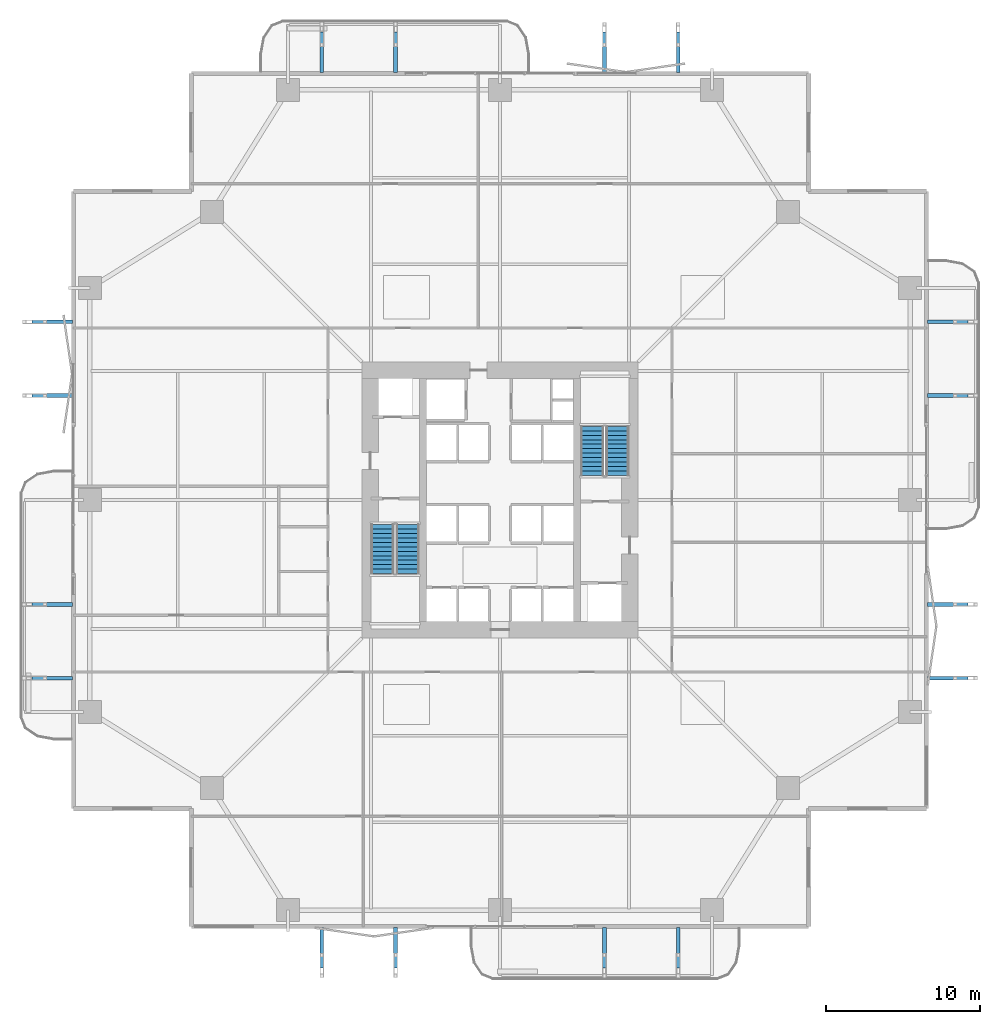
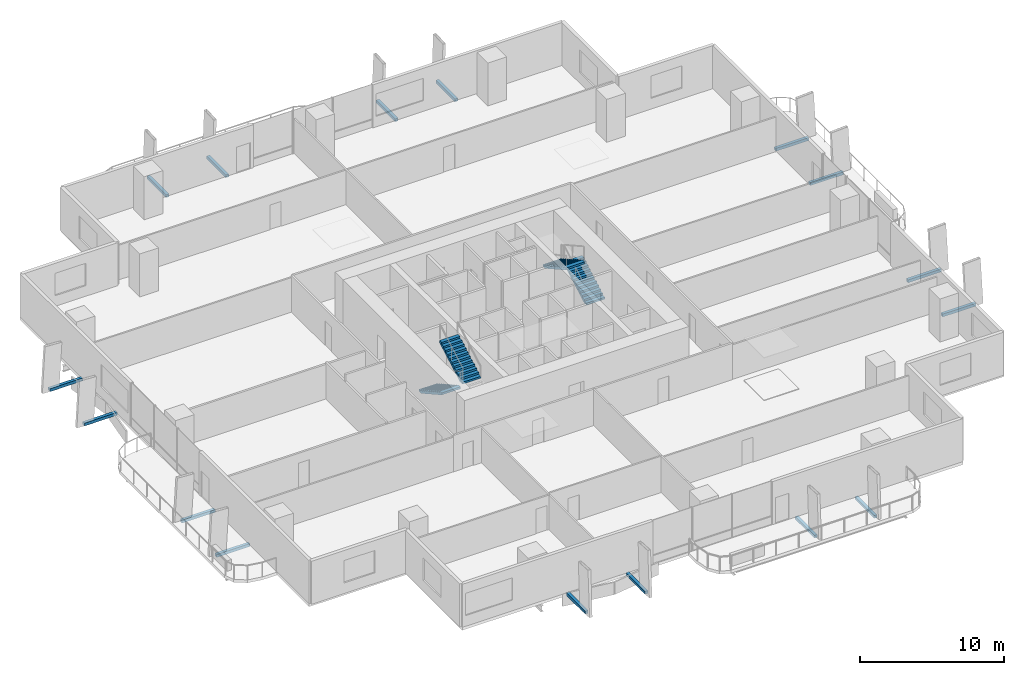
# One storey, part 20 of 24: 16 discrete accessories, 4 stair flights, 2 elements without a shape of their own.
"""IFC4 building model written with IfcOpenShell, lengths in metres."""

from ifc_helpers import new_model, si_unit, direction, frame, origin, origin_2d, place, context, subcontext, project, spatial, polyline, rectangle, outline, extrude, material, layer, layer_set, type_object, element, aggregate, save


model = new_model("IFC4")

# Units and contexts
model_context = context("Model", 3, precision=1e-05, world=origin(), true_north=direction((0.0, 1.0)))
body_context = subcontext(model_context, "Body", "Model", "MODEL_VIEW")
ifc_project = project(units=[si_unit("LENGTHUNIT", "METRE"), si_unit("AREAUNIT", "SQUARE_METRE"), si_unit("VOLUMEUNIT", "CUBIC_METRE"), si_unit("PLANEANGLEUNIT", "RADIAN"), si_unit("MASSUNIT", "GRAM", prefix="KILO")], contexts=[model_context])

# Site, building, storey
site_placement = place(None, origin())
site = spatial("IfcSite", under=ifc_project, at=site_placement, CompositionType="ELEMENT")
building_placement = place(site_placement, origin())
building = spatial("IfcBuilding", under=site, at=building_placement, Name="Belovzor Exchange Tower", CompositionType="ELEMENT")
storey_placement = place(building_placement, frame((0.0, 0.0, 49.5)))
storey = spatial("IfcBuildingStorey", under=building, at=storey_placement, Name="L11", CompositionType="ELEMENT", Elevation=49.5)

# Stair, stair flights
ifc_material_1 = material(Name="Concrete C40/50", Category="concrete")
stair_type = type_object("IfcStairType", Name="Reinforced Concrete Dogleg Escape Stair 1350", PredefinedType="HALF_TURN_STAIR", material=ifc_material_1)
stair_1_placement = place(storey_placement, origin())
stair_1 = element("IfcStair", 1, at=stair_1_placement, inside=storey, type_object=stair_type, Name="L11 ST-1", PredefinedType="HALF_TURN_STAIR")
ifc_material_2 = material(Name="Concrete C40/50", Category="concrete")
stair_flight_type = type_object("IfcStairFlightType", Name="Reinforced Concrete Stair Flight 1350", PredefinedType="STRAIGHT", material=ifc_material_2)
stair_flight_1_placement = place(storey_placement, frame((21.14990234375, 27.199951171875, 0.0), z_axis=(0.0, 0.0, 1.0), x_axis=(0.0, -1.0, 0.0)))
stair_flight_1 = element("IfcStairFlight", 2, at=stair_flight_1_placement, type_object=stair_flight_type, Name="ST-1 flight 1", NumberOfRisers=12, NumberOfTreads=11, PredefinedType="STRAIGHT", RiserHeight=0.1625, TreadLength=0.29, context=body_context, shape_type="SweptSolid", body=[
    extrude(outline(polyline([(0.0, 0.0), (0.0, 0.16259765625), (0.2900390625, 0.16259765625), (0.2900390625, 0.324951171875), (0.580078125, 0.324951171875), (0.580078125, 0.487548828125), (0.8701171875, 0.487548828125), (0.8701171875, 0.64990234375), (1.159912109375, 0.64990234375), (1.159912109375, 0.8125), (1.449951171875, 0.8125), (1.449951171875, 0.97509765625), (1.739990234375, 0.97509765625), (1.739990234375, 1.137451171875), (2.030029296875, 1.137451171875), (2.030029296875, 1.300048828125), (2.320068359375, 1.300048828125), (2.320068359375, 1.46240234375), (2.610107421875, 1.46240234375), (2.610107421875, 1.625), (2.89990234375, 1.625), (2.89990234375, 1.78759765625), (3.18994140625, 1.78759765625), (3.18994140625, 1.949951171875), (3.18994140625, 1.61572265625), (0.306640625, 0.0), (0.0, 0.0)])), frame((0.0, 0.75, 0.0), z_axis=(0.0, -1.0, 0.0), x_axis=(1.0, 0.0, 0.0)), (0.0, 0.0, 1.0), 1.5),
])
stair_flight_2_placement = place(storey_placement, frame((22.800048828125, 24.010009765625, 1.949951171875), z_axis=(0.0, 0.0, 1.0), x_axis=(0.0, 1.0, 0.0)))
stair_flight_2 = element("IfcStairFlight", 3, at=stair_flight_2_placement, type_object=stair_flight_type, Name="ST-1 flight 2", NumberOfRisers=12, NumberOfTreads=11, PredefinedType="STRAIGHT", RiserHeight=0.1625, TreadLength=0.29, context=body_context, shape_type="SweptSolid", body=[
    extrude(outline(polyline([(0.0, 0.0), (0.0, 0.16259765625), (0.2900390625, 0.16259765625), (0.2900390625, 0.324951171875), (0.580078125, 0.324951171875), (0.580078125, 0.487548828125), (0.8701171875, 0.487548828125), (0.8701171875, 0.64990234375), (1.159912109375, 0.64990234375), (1.159912109375, 0.8125), (1.449951171875, 0.8125), (1.449951171875, 0.97509765625), (1.739990234375, 0.97509765625), (1.739990234375, 1.137451171875), (2.030029296875, 1.137451171875), (2.030029296875, 1.300048828125), (2.320068359375, 1.300048828125), (2.320068359375, 1.46240234375), (2.610107421875, 1.46240234375), (2.610107421875, 1.625), (2.89990234375, 1.625), (2.89990234375, 1.78759765625), (3.18994140625, 1.78759765625), (3.18994140625, 1.949951171875), (3.18994140625, 1.61572265625), (0.306640625, 0.0), (0.0, 0.0)])), frame((0.0, 0.75, 0.0), z_axis=(0.0, -1.0, 0.0), x_axis=(1.0, 0.0, 0.0)), (0.0, 0.0, 1.0), 1.5),
])
aggregate(stair_1, [stair_flight_1, stair_flight_2])

stair_2_placement = place(storey_placement, origin())
stair_2 = element("IfcStair", 4, at=stair_2_placement, inside=storey, type_object=stair_type, Name="L11 ST-2", PredefinedType="HALF_TURN_STAIR")
stair_flight_3_placement = place(storey_placement, frame((36.449951171875, 30.39990234375, 0.0), z_axis=(0.0, 0.0, 1.0), x_axis=(0.0, 1.0, 0.0)))
stair_flight_3 = element("IfcStairFlight", 5, at=stair_flight_3_placement, type_object=stair_flight_type, Name="ST-2 flight 1", NumberOfRisers=12, NumberOfTreads=11, PredefinedType="STRAIGHT", RiserHeight=0.1625, TreadLength=0.29, context=body_context, shape_type="SweptSolid", body=[
    extrude(outline(polyline([(0.0, 0.0), (0.0, 0.16259765625), (0.2900390625, 0.16259765625), (0.2900390625, 0.324951171875), (0.580078125, 0.324951171875), (0.580078125, 0.487548828125), (0.8701171875, 0.487548828125), (0.8701171875, 0.64990234375), (1.159912109375, 0.64990234375), (1.159912109375, 0.8125), (1.449951171875, 0.8125), (1.449951171875, 0.97509765625), (1.739990234375, 0.97509765625), (1.739990234375, 1.137451171875), (2.030029296875, 1.137451171875), (2.030029296875, 1.300048828125), (2.320068359375, 1.300048828125), (2.320068359375, 1.46240234375), (2.610107421875, 1.46240234375), (2.610107421875, 1.625), (2.89990234375, 1.625), (2.89990234375, 1.78759765625), (3.18994140625, 1.78759765625), (3.18994140625, 1.949951171875), (3.18994140625, 1.61572265625), (0.306640625, 0.0), (0.0, 0.0)])), frame((0.0, 0.75, 0.0), z_axis=(0.0, -1.0, 0.0), x_axis=(1.0, 0.0, 0.0)), (0.0, 0.0, 1.0), 1.5),
])
stair_flight_4_placement = place(storey_placement, frame((34.800048828125, 33.590087890625, 1.949951171875), z_axis=(0.0, 0.0, 1.0), x_axis=(0.0, -1.0, 0.0)))
stair_flight_4 = element("IfcStairFlight", 6, at=stair_flight_4_placement, type_object=stair_flight_type, Name="ST-2 flight 2", NumberOfRisers=12, NumberOfTreads=11, PredefinedType="STRAIGHT", RiserHeight=0.1625, TreadLength=0.29, context=body_context, shape_type="SweptSolid", body=[
    extrude(outline(polyline([(0.0, 0.0), (0.0, 0.16259765625), (0.2900390625, 0.16259765625), (0.2900390625, 0.324951171875), (0.580078125, 0.324951171875), (0.580078125, 0.487548828125), (0.8701171875, 0.487548828125), (0.8701171875, 0.64990234375), (1.159912109375, 0.64990234375), (1.159912109375, 0.8125), (1.449951171875, 0.8125), (1.449951171875, 0.97509765625), (1.739990234375, 0.97509765625), (1.739990234375, 1.137451171875), (2.030029296875, 1.137451171875), (2.030029296875, 1.300048828125), (2.320068359375, 1.300048828125), (2.320068359375, 1.46240234375), (2.610107421875, 1.46240234375), (2.610107421875, 1.625), (2.89990234375, 1.625), (2.89990234375, 1.78759765625), (3.18994140625, 1.78759765625), (3.18994140625, 1.949951171875), (3.18994140625, 1.61572265625), (0.306640625, 0.0), (0.0, 0.0)])), frame((0.0, 0.75, 0.0), z_axis=(0.0, -1.0, 0.0), x_axis=(1.0, 0.0, 0.0)), (0.0, 0.0, 1.0), 1.5),
])
aggregate(stair_2, [stair_flight_3, stair_flight_4])

# Discrete accessories
ifc_material_3 = material(Name="Stainless Steel Grade 316", Category="steel")
ifc_layer = layer(ifc_material_3, 0.179931640625)
ifc_layer_set = layer_set([ifc_layer], Name="Stainless Steel Grade 316")
discrete_accessory_type = type_object("IfcDiscreteAccessoryType", Name="Stainless Steel Facade Outrigger Fixing Bracket", PredefinedType="BRACKET", material=ifc_layer_set)
for number, where, z_axis, x_axis, name in (
    (7, (17.199951171875, -0.34912109375, -0.2451171875), (0.0, 0.0, 1.0), (0.0, 1.0, 0.0), "BRK-FIN1 Sweeping Fin Outrigger Bracket L11 S1"),
    (8, (17.199951171875, 57.948974609375, -0.2451171875), (0.0, 0.0, 1.0), (0.0, 1.0, 0.0), "BRK-FIN1 Sweeping Fin Outrigger Bracket L11 N1"),
    (9, (-0.34912109375, 17.199951171875, -0.2451171875), (0.0, 0.0, 1.0), (1.0, 0.0, 0.0), "BRK-FIN1 Sweeping Fin Outrigger Bracket L11 W1"),
    (10, (57.948974609375, 17.199951171875, -0.2451171875), (0.0, 0.0, 1.0), (1.0, 0.0, 0.0), "BRK-FIN1 Sweeping Fin Outrigger Bracket L11 E1"),
    (11, (22.0, -0.34912109375, -0.2451171875), (0.0, 0.0, 1.0), (0.0, 1.0, 0.0), "BRK-FIN1 Sweeping Fin Outrigger Bracket L11 S2"),
    (12, (22.0, 57.948974609375, -0.2451171875), (0.0, 0.0, 1.0), (0.0, 1.0, 0.0), "BRK-FIN1 Sweeping Fin Outrigger Bracket L11 N2"),
    (13, (-0.34912109375, 22.0, -0.2451171875), (0.0, 0.0, 1.0), (1.0, 0.0, 0.0), "BRK-FIN1 Sweeping Fin Outrigger Bracket L11 W2"),
    (14, (57.948974609375, 22.0, -0.2451171875), (0.0, 0.0, 1.0), (1.0, 0.0, 0.0), "BRK-FIN1 Sweeping Fin Outrigger Bracket L11 E2"),
    (15, (35.60009765625, -0.34912109375, -0.2451171875), (0.0, 0.0, 1.0), (0.0, 1.0, 0.0), "BRK-FIN1 Sweeping Fin Outrigger Bracket L11 S3"),
    (16, (35.60009765625, 57.948974609375, -0.2451171875), (0.0, 0.0, 1.0), (0.0, 1.0, 0.0), "BRK-FIN1 Sweeping Fin Outrigger Bracket L11 N3"),
    (17, (-0.34912109375, 35.60009765625, -0.2451171875), (0.0, 0.0, 1.0), (1.0, 0.0, 0.0), "BRK-FIN1 Sweeping Fin Outrigger Bracket L11 W3"),
    (18, (57.948974609375, 35.60009765625, -0.2451171875), (0.0, 0.0, 1.0), (1.0, 0.0, 0.0), "BRK-FIN1 Sweeping Fin Outrigger Bracket L11 E3"),
    (19, (40.39990234375, -0.34912109375, -0.2451171875), (0.0, 0.0, 1.0), (0.0, 1.0, 0.0), "BRK-FIN1 Sweeping Fin Outrigger Bracket L11 S4"),
    (20, (40.39990234375, 57.948974609375, -0.2451171875), (0.0, 0.0, 1.0), (0.0, 1.0, 0.0), "BRK-FIN1 Sweeping Fin Outrigger Bracket L11 N4"),
    (21, (-0.34912109375, 40.39990234375, -0.2451171875), (0.0, 0.0, 1.0), (1.0, 0.0, 0.0), "BRK-FIN1 Sweeping Fin Outrigger Bracket L11 W4"),
    (22, (57.948974609375, 40.39990234375, -0.2451171875), (0.0, 0.0, 1.0), (1.0, 0.0, 0.0), "BRK-FIN1 Sweeping Fin Outrigger Bracket L11 E4"),
):
    element("IfcDiscreteAccessory", number, at=place(storey_placement, frame(where, z_axis=z_axis, x_axis=x_axis)), inside=storey, type_object=discrete_accessory_type, Name=name, PredefinedType="BRACKET", context=body_context, shape_type="SweptSolid", body=[
        extrude(rectangle(XDim=2.657958984375, YDim=0.239990234375, at=origin_2d()), origin(), (0.0, 0.0, 1.0), 0.239990234375),
    ])

save(model, "model.ifc")
